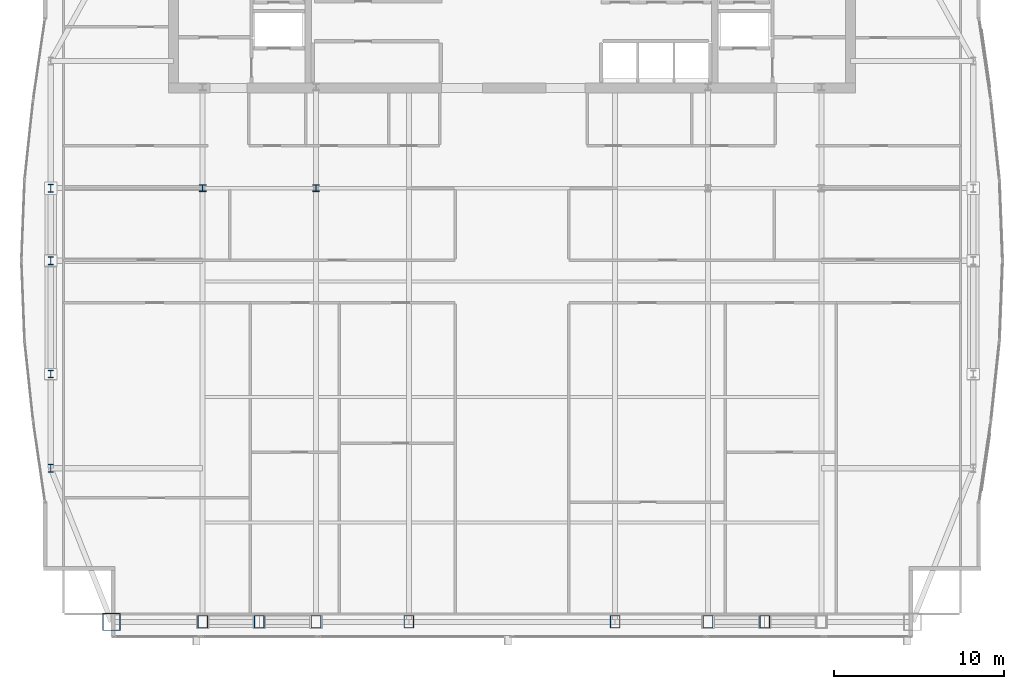
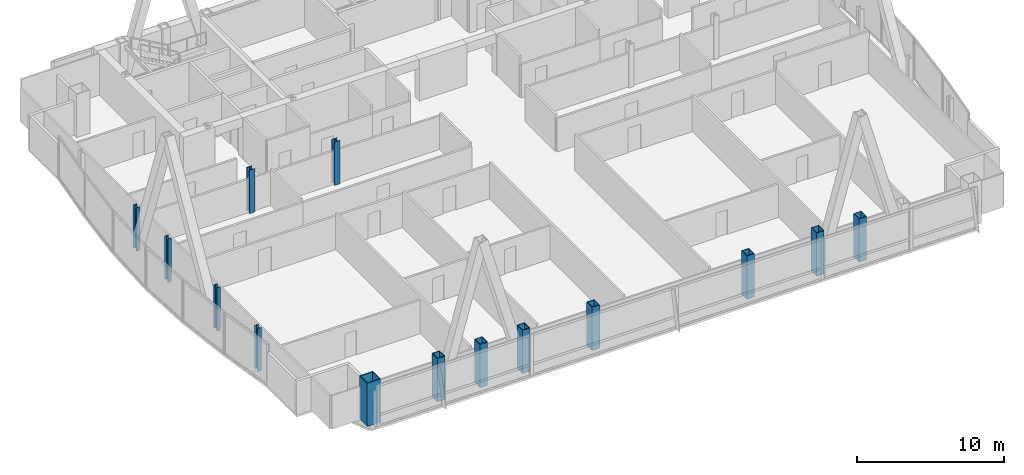
# One storey, part 1 of 31: 14 columns.
"""IFC4 building model written with IfcOpenShell, lengths in metres."""

import ifcopenshell
import ifcopenshell.guid

model = None  # the IFC model being written
_history = None  # IfcOwnerHistory: only IFC2X3 demands one
_inside = {}  # id of a spatial element -> (the spatial element, [elements in it])
_under = {}  # id of a project, library or spatial element -> (it, [spatial elements below it])
_declared = {}  # id of a project -> (the project, [libraries it declares])
_typed = {}  # id of a type object -> (the type object, [elements of that type])
_made_of = {}  # id of a material, layer set ... -> (it, [elements and type objects made of it])


def new_model(schema):
    """Start an empty IFC model of exactly this schema.

    Asked for "IFC4X3", IfcOpenShell would pick the latest addendum, in which some entities
    have other attributes; the version numbers below select the first issue.
    IFC2X3 requires an IfcOwnerHistory on every rooted entity: one is made here for all.
    """
    global model, _history
    if schema == "IFC4X3":
        model = ifcopenshell.file(schema_version=(4, 3, 0, 0))
    else:
        model = ifcopenshell.file(schema=schema)
    _inside.clear()
    _under.clear()
    _declared.clear()
    _typed.clear()
    _made_of.clear()
    _history = None
    if model.schema == "IFC2X3":
        org = make("IfcOrganization", Name="unknown")
        user = make(
            "IfcPersonAndOrganization",
            ThePerson=make("IfcPerson", FamilyName="unknown"),
            TheOrganization=org,
        )
        app = make(
            "IfcApplication",
            ApplicationDeveloper=org,
            Version="unknown",
            ApplicationFullName="unknown",
            ApplicationIdentifier="unknown",
        )
        _history = make(
            "IfcOwnerHistory",
            OwningUser=user,
            OwningApplication=app,
            ChangeAction="ADDED",
            CreationDate=0,
        )
    return model


def make(cls, **values):
    """One entity of the class cls with the attributes given. An attribute that is None is left unset."""
    return model.create_entity(
        cls, **{name: value for name, value in values.items() if value is not None}
    )


def rooted(cls, **values):
    """An entity with a GlobalId (a new one), such as an element, a storey or a relation."""
    return make(cls, GlobalId=ifcopenshell.guid.new(), OwnerHistory=_history, **values)


def si_unit(unit_type, name, prefix=None):
    """IfcSIUnit, for example si_unit("LENGTHUNIT", "METRE", prefix="MILLI")."""
    return make("IfcSIUnit", UnitType=unit_type, Prefix=prefix, Name=name)


def assignment(units):
    """IfcUnitAssignment: the units of a project."""
    return None if units is None else make("IfcUnitAssignment", Units=units)


def point(xyz):
    """IfcCartesianPoint."""
    return None if xyz is None else make("IfcCartesianPoint", Coordinates=xyz)


def direction(xyz):
    """IfcDirection."""
    return None if xyz is None else make("IfcDirection", DirectionRatios=xyz)


def frame(location, z_axis=None, x_axis=None):
    """IfcAxis2Placement3D, a coordinate frame: its origin and axes. An axis left out is left unset."""
    return make(
        "IfcAxis2Placement3D",
        Location=point(location),
        Axis=direction(z_axis),
        RefDirection=direction(x_axis),
    )


def frame_2d(location, x_axis=None):
    """IfcAxis2Placement2D, a coordinate frame in the plane: its origin and x axis."""
    return make(
        "IfcAxis2Placement2D", Location=point(location), RefDirection=direction(x_axis)
    )


def origin():
    """The frame at (0, 0, 0) with its axes left unset."""
    return frame((0.0, 0.0, 0.0))


def origin_2d():
    """The frame at (0, 0) in the plane with its x axis left unset."""
    return frame_2d((0.0, 0.0))


def place(relative_to, where):
    """IfcLocalPlacement: puts the frame where relative to a parent placement (None: the world)."""
    return make(
        "IfcLocalPlacement", PlacementRelTo=relative_to, RelativePlacement=where
    )


def context(
    kind, dimensions, precision=None, world=None, true_north=None, identifier=None
):
    """IfcGeometricRepresentationContext, for example the 3D "Model" context."""
    return make(
        "IfcGeometricRepresentationContext",
        ContextIdentifier=identifier,
        ContextType=kind,
        CoordinateSpaceDimension=dimensions,
        Precision=precision,
        WorldCoordinateSystem=world,
        TrueNorth=true_north,
    )


def subcontext(parent, identifier, kind, view, scale=None):
    """IfcGeometricRepresentationSubContext, for example "Body" below "Model"."""
    return make(
        "IfcGeometricRepresentationSubContext",
        ContextIdentifier=identifier,
        ContextType=kind,
        ParentContext=parent,
        TargetScale=scale,
        TargetView=view,
    )


def project(units=None, contexts=None):
    """IfcProject with its units and contexts."""
    return rooted(
        "IfcProject",
        Name="project",
        RepresentationContexts=contexts,
        UnitsInContext=assignment(units),
    )


def spatial(cls, under=None, at=None, **own):
    """A site, building, storey or space (cls), placed at a placement, below another one or the project."""
    s = rooted(cls, ObjectPlacement=at, **own)
    if under is not None:
        _under.setdefault(under.id(), (under, []))[1].append(s)
    return s


def profile(cls, at=None, kind="AREA", **sizes):
    """A parametric profile (cls). Its sizes go by their IFC names, for example OverallWidth=200.0."""
    return make(cls, ProfileType=kind, Position=at, **sizes)


def hollow_rectangle(**sizes):
    """IfcRectangleHollowProfileDef."""
    return profile("IfcRectangleHollowProfileDef", **sizes)


def i_section(**sizes):
    """IfcIShapeProfileDef."""
    return profile("IfcIShapeProfileDef", **sizes)


def extrude(swept, where, along, depth):
    """IfcExtrudedAreaSolid: the profile swept, set in the frame where, extruded along a direction by depth."""
    return make(
        "IfcExtrudedAreaSolid",
        SweptArea=swept,
        Position=where,
        ExtrudedDirection=direction(along),
        Depth=depth,
    )


def shape(context_of_items, identifier, shape_type, items):
    """IfcShapeRepresentation: the items that make up one representation, for example the "Body"."""
    return make(
        "IfcShapeRepresentation",
        ContextOfItems=context_of_items,
        RepresentationIdentifier=identifier,
        RepresentationType=shape_type,
        Items=items,
    )


def material(Name=None, Category=None):
    """IfcMaterial."""
    return make("IfcMaterial", Name=Name, Category=Category)


def material_profile(
    of_material, cross_section, Name=None, Category=None, Priority=None
):
    """IfcMaterialProfile: a cross section and its material."""
    return make(
        "IfcMaterialProfile",
        Name=Name,
        Material=of_material,
        Profile=cross_section,
        Priority=Priority,
        Category=Category,
    )


def profile_set(profiles, Name=None, composite=None):
    """IfcMaterialProfileSet."""
    return make(
        "IfcMaterialProfileSet",
        Name=Name,
        MaterialProfiles=profiles,
        CompositeProfile=composite,
    )


def made_of(thing, what):
    """Note that an element or type object is made of a material, layer set ...; save() writes the relation."""
    if what is not None:
        _made_of.setdefault(what.id(), (what, []))[1].append(thing)
    return thing


def type_object(cls, material=None, **own):
    """A type object (cls), such as IfcWallType, which elements share."""
    return made_of(rooted(cls, **own), material)


def element(
    cls,
    number,
    at=None,
    inside=None,
    cuts=None,
    type_object=None,
    material=None,
    context=None,
    identifier="Body",
    shape_type=None,
    held_by="IfcProductDefinitionShape",
    body=None,
    shapes=None,
    **own,
):
    """One element of the class cls, such as IfcWall. Its Tag is "e" and its number.

    at: its placement. inside: the storey or other place that contains it. cuts: it is an
    opening in that element (IfcRelVoidsElement). A single representation is given by context,
    identifier, shape_type and body (its items); several are given by shapes. held_by: the class
    of the entity that holds the representations. save() writes the other relations.
    """
    e = rooted(cls, Tag="e%d" % number, ObjectPlacement=at, **own)
    if body is not None:
        shapes = [shape(context, identifier, shape_type, body)]
    if shapes is not None:
        e.Representation = make(held_by, Representations=shapes)
    if inside is not None:
        _inside.setdefault(inside.id(), (inside, []))[1].append(e)
    if cuts is not None:
        rooted(
            "IfcRelVoidsElement", RelatingBuildingElement=cuts, RelatedOpeningElement=e
        )
    if type_object is not None:
        _typed.setdefault(type_object.id(), (type_object, []))[1].append(e)
    return made_of(e, material)


def aggregate(whole, parts):
    """IfcRelAggregates: a whole, such as a stair, and the parts it consists of."""
    return rooted("IfcRelAggregates", RelatingObject=whole, RelatedObjects=parts)


def save(model, path):
    """Write the relations noted so far, then the file.

    IfcRelAggregates (storeys below a building ...), IfcRelContainedInSpatialStructure (elements
    in a storey), IfcRelDefinesByType, IfcRelAssociatesMaterial and IfcRelDeclares: one each for
    every whole, place, type object, material and project.
    """
    for whole, parts in _under.values():
        aggregate(whole, parts)
    for where, things in _inside.values():
        rooted(
            "IfcRelContainedInSpatialStructure",
            RelatedElements=things,
            RelatingStructure=where,
        )
    for kind, things in _typed.values():
        rooted("IfcRelDefinesByType", RelatedObjects=things, RelatingType=kind)
    for what, things in _made_of.values():
        rooted("IfcRelAssociatesMaterial", RelatedObjects=things, RelatingMaterial=what)
    for by, libraries in _declared.values():
        rooted("IfcRelDeclares", RelatingContext=by, RelatedDefinitions=libraries)
    model.write(path)


model = new_model("IFC4")

# Units and contexts
model_context = context("Model", 3, precision=1e-05, world=origin(), true_north=direction((0.0, 1.0)))
body_context = subcontext(model_context, "Body", "Model", "MODEL_VIEW")
ifc_project = project(units=[si_unit("LENGTHUNIT", "METRE"), si_unit("AREAUNIT", "SQUARE_METRE"), si_unit("VOLUMEUNIT", "CUBIC_METRE"), si_unit("PLANEANGLEUNIT", "RADIAN"), si_unit("MASSUNIT", "GRAM", prefix="KILO")], contexts=[model_context])

# Site, building, storey
site_placement = place(None, origin())
site = spatial("IfcSite", under=ifc_project, at=site_placement, CompositionType="ELEMENT")
building_placement = place(site_placement, origin())
building = spatial("IfcBuilding", under=site, at=building_placement, Name="Khoronbel Lancet Exchange", CompositionType="ELEMENT")
storey_placement = place(building_placement, frame((0.0, 0.0, 249.800048828125)))
storey = spatial("IfcBuildingStorey", under=building, at=storey_placement, Name="L64", CompositionType="ELEMENT", Elevation=249.800048828125)

# Columns
ifc_material_1 = material(Name="Steel S460", Category="steel")
ifc_material_profile_1 = material_profile(ifc_material_1, hollow_rectangle(XDim=0.60009765625, YDim=0.75, WallThickness=0.044921875, at=origin_2d()), Name="BOX 750x600x45")
ifc_profile_set_1 = profile_set([ifc_material_profile_1], Name="Steel S460")
column_type_1 = type_object("IfcColumnType", Name="COL-EC3", PredefinedType="COLUMN", material=ifc_profile_set_1)
for number, where, z_axis, x_axis, name in (
    (1, (18.22509765625, 10.14990234375, 0.0), (0.0, 0.0, 1.0), (1.0, 0.0, 0.0), "Structural column SC-W1 L64"),
    (2, (21.5625, 10.14990234375, 0.0), (0.0, 0.0, 1.0), (1.0, 0.0, 0.0), "Structural column SC-WM L64"),
    (3, (24.89990234375, 10.14990234375, 0.0), (0.0, 0.0, 1.0), (1.0, 0.0, 0.0), "Structural column SC-W2 L64"),
    (4, (30.375, 10.14990234375, 0.0), (0.0, 0.0, 1.0), (1.0, 0.0, 0.0), "Structural column SC-C1 L64"),
    (5, (42.52490234375, 10.14990234375, 0.0), (0.0, 0.0, 1.0), (1.0, 0.0, 0.0), "Structural column SC-C2 L64"),
    (6, (48.0, 10.14990234375, 0.0), (0.0, 0.0, 1.0), (1.0, 0.0, 0.0), "Structural column SC-E1 L64"),
    (7, (51.33740234375, 10.14990234375, 0.0), (0.0, 0.0, 1.0), (1.0, 0.0, 0.0), "Structural column SC-EM L64"),
):
    element("IfcColumn", number, at=place(storey_placement, frame(where, z_axis=z_axis, x_axis=x_axis)), inside=storey, type_object=column_type_1, Name=name, PredefinedType="COLUMN", context=body_context, shape_type="SweptSolid", body=[
        extrude(hollow_rectangle(XDim=0.60009765625, YDim=0.75, WallThickness=0.044921875, at=origin_2d()), origin(), (0.0, 0.0, 1.0), 3.599853515625),
    ])
ifc_material_2 = material(Name="Steel S355", Category="steel")
ifc_material_profile_2 = material_profile(ifc_material_2, i_section(OverallWidth=0.406005859375, OverallDepth=0.416015625, WebThickness=0.02978515625, FlangeThickness=0.048095703125, at=origin_2d()), Name="HD 400x382")
ifc_profile_set_2 = profile_set([ifc_material_profile_2], Name="Steel S355")
column_type_2 = type_object("IfcColumnType", Name="COL-IC3", PredefinedType="COLUMN", material=ifc_profile_set_2)
for number, where, z_axis, x_axis, name in (
    (8, (18.22509765625, 35.699951171875, 0.0), (0.0, 0.0, 1.0), (1.0, 0.0, 0.0), "Spine gravity column TC1 L64"),
    (9, (24.89990234375, 35.699951171875, 0.0), (0.0, 0.0, 1.0), (1.0, 0.0, 0.0), "Spine gravity column TC2 L64"),
):
    element("IfcColumn", number, at=place(storey_placement, frame(where, z_axis=z_axis, x_axis=x_axis)), inside=storey, type_object=column_type_2, Name=name, PredefinedType="COLUMN", context=body_context, shape_type="SweptSolid", body=[
        extrude(i_section(OverallWidth=0.406005859375, OverallDepth=0.416015625, WebThickness=0.02978515625, FlangeThickness=0.048095703125, at=origin_2d()), origin(), (0.0, 0.0, 1.0), 3.599853515625),
    ])
ifc_material_profile_3 = material_profile(ifc_material_2, i_section(OverallWidth=0.300048828125, OverallDepth=0.449951171875, WebThickness=0.013916015625, FlangeThickness=0.02587890625, at=origin_2d()), Name="HEB 450")
ifc_profile_set_3 = profile_set([ifc_material_profile_3], Name="Steel S355")
column_type_3 = type_object("IfcColumnType", Name="COL-LC2", PredefinedType="COLUMN", material=ifc_profile_set_3)
for number, where, z_axis, x_axis, name in (
    (10, (9.27001953125, 19.199951171875, 0.0), (0.0, 0.0, 1.0), (1.0, 0.0, 0.0), "Structural column WC-1 L64"),
    (11, (9.27001953125, 24.75, 0.0), (0.0, 0.0, 1.0), (1.0, 0.0, 0.0), "Structural column WC-2 L64"),
    (12, (9.27001953125, 31.425048828125, 0.0), (0.0, 0.0, 1.0), (1.0, 0.0, 0.0), "Structural column WC-M L64"),
    (13, (9.27001953125, 35.699951171875, 0.0), (0.0, 0.0, 1.0), (1.0, 0.0, 0.0), "Structural column WC-3 L64"),
):
    element("IfcColumn", number, at=place(storey_placement, frame(where, z_axis=z_axis, x_axis=x_axis)), inside=storey, type_object=column_type_3, Name=name, PredefinedType="COLUMN", context=body_context, shape_type="SweptSolid", body=[
        extrude(i_section(OverallWidth=0.300048828125, OverallDepth=0.449951171875, WebThickness=0.013916015625, FlangeThickness=0.02587890625, at=origin_2d()), origin(), (0.0, 0.0, 1.0), 3.599853515625),
    ])
ifc_material_profile_4 = material_profile(ifc_material_1, hollow_rectangle(XDim=1.050048828125, YDim=1.050048828125, WallThickness=0.054931640625, at=origin_2d()), Name="BOX 1050x1050x55")
ifc_profile_set_4 = profile_set([ifc_material_profile_4], Name="Steel S460")
column_type_4 = type_object("IfcColumnType", Name="COL-MC6", PredefinedType="COLUMN", material=ifc_profile_set_4)
column_placement = place(storey_placement, frame((12.85009765625, 10.14990234375, 0.0), z_axis=(0.0, 0.0, 1.0), x_axis=(1.0, 0.0, 0.0)))
element("IfcColumn", 14, at=column_placement, inside=storey, type_object=column_type_4, Name="Structural column MC-SW L64", PredefinedType="COLUMN", context=body_context, shape_type="SweptSolid", body=[
    extrude(hollow_rectangle(XDim=1.050048828125, YDim=1.050048828125, WallThickness=0.054931640625, at=origin_2d()), origin(), (0.0, 0.0, 1.0), 3.599853515625),
])

save(model, "model.ifc")
